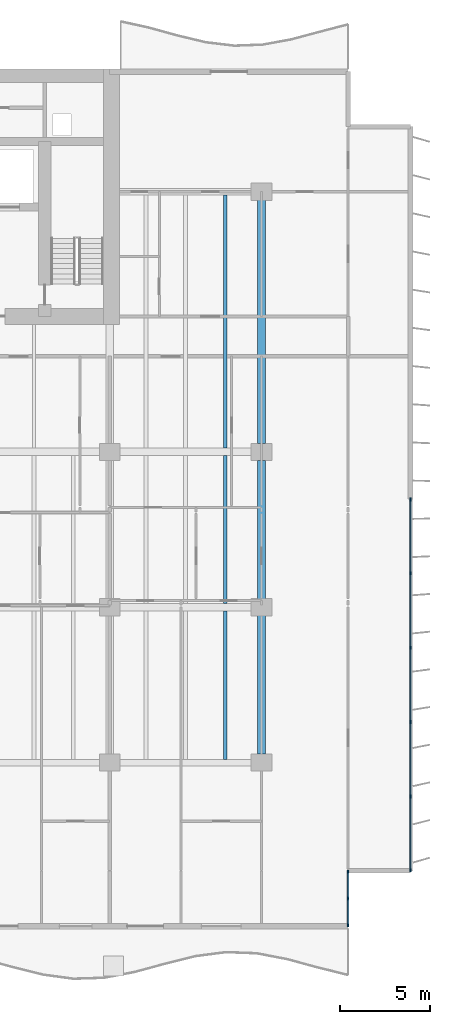
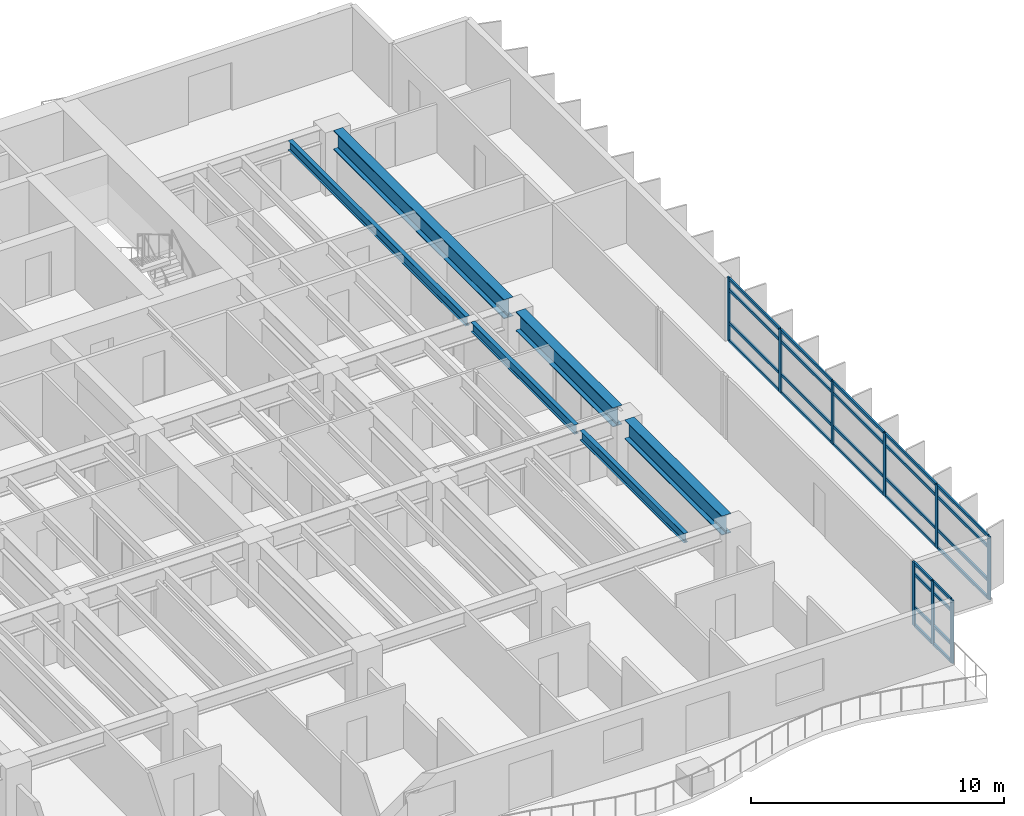
# One storey, part 4 of 19: 37 members, 6 beams, 2 elements without a shape of their own.
"""IFC4 building model written with IfcOpenShell, lengths in metres."""

from ifc_helpers import new_model, si_unit, direction, frame, origin, origin_2d, place, context, subcontext, project, spatial, rectangle, i_section, extrude, material, layer, layer_set, material_profile, profile_set, type_object, element, aggregate, save


model = new_model("IFC4")

# Units and contexts
model_context = context("Model", 3, precision=1e-05, world=origin(), true_north=direction((0.0, 1.0)))
body_context = subcontext(model_context, "Body", "Model", "MODEL_VIEW")
ifc_project = project(units=[si_unit("LENGTHUNIT", "METRE"), si_unit("AREAUNIT", "SQUARE_METRE"), si_unit("VOLUMEUNIT", "CUBIC_METRE"), si_unit("PLANEANGLEUNIT", "RADIAN"), si_unit("MASSUNIT", "GRAM", prefix="KILO")], contexts=[model_context])

# Site, building, storey
site_placement = place(None, origin())
site = spatial("IfcSite", under=ifc_project, at=site_placement, CompositionType="ELEMENT")
building_placement = place(site_placement, origin())
building = spatial("IfcBuilding", under=site, at=building_placement, Name="Caelmar Bay Residences", CompositionType="ELEMENT")
storey_placement = place(building_placement, frame((0.0, 0.0, 66.300048828125)))
storey = spatial("IfcBuildingStorey", under=building, at=storey_placement, Name="L17", CompositionType="ELEMENT", Elevation=66.300048828125)

# Beams
ifc_material_1 = material(Name="Steel ASTM A992 Grade 50", Category="steel")
ifc_material_profile_1 = material_profile(ifc_material_1, i_section(OverallWidth=0.422119140625, OverallDepth=0.925048828125, WebThickness=0.021240234375, FlangeThickness=0.03662109375, FilletRadius=0.020263671875, at=origin_2d()), Name="W36X262")
ifc_profile_set_1 = profile_set([ifc_material_profile_1], Name="Steel ASTM A992 Grade 50")
beam_type_1 = type_object("IfcBeamType", Name="BM-GRD-W36X262", PredefinedType="BEAM", material=ifc_profile_set_1)
beam_1_placement = place(storey_placement, frame((67.89990234375, 12.6650390625, 2.58740234375), z_axis=(0.0, 1.0, 0.0), x_axis=(-1.0, 0.0, 0.0)))
element("IfcBeam", 1, at=beam_1_placement, inside=storey, type_object=beam_type_1, Name="L17 North-South Girder X=67.90 (12.2-20.8)", PredefinedType="BEAM", context=body_context, shape_type="SweptSolid", body=[
    extrude(i_section(OverallWidth=0.422119140625, OverallDepth=0.925048828125, WebThickness=0.021240234375, FlangeThickness=0.03662109375, FilletRadius=0.020263671875, at=origin_2d()), origin(), (0.0, 0.0, 1.0), 7.669921875),
])
beam_2_placement = place(storey_placement, frame((67.89990234375, 21.264892578125, 2.58740234375), z_axis=(0.0, 1.0, 0.0), x_axis=(-1.0, 0.0, 0.0)))
element("IfcBeam", 2, at=beam_2_placement, inside=storey, type_object=beam_type_1, Name="L17 North-South Girder X=67.90 (20.8-29.4)", PredefinedType="BEAM", context=body_context, shape_type="SweptSolid", body=[
    extrude(i_section(OverallWidth=0.422119140625, OverallDepth=0.925048828125, WebThickness=0.021240234375, FlangeThickness=0.03662109375, FilletRadius=0.020263671875, at=origin_2d()), origin(), (0.0, 0.0, 1.0), 7.670166015625),
])
beam_3_placement = place(storey_placement, frame((67.89990234375, 29.864990234375, 2.58740234375), z_axis=(0.0, 1.0, 0.0), x_axis=(-1.0, 0.0, 0.0)))
element("IfcBeam", 3, at=beam_3_placement, inside=storey, type_object=beam_type_1, Name="L17 North-South Girder X=67.90 (29.4-43.8)", PredefinedType="BEAM", context=body_context, shape_type="SweptSolid", body=[
    extrude(i_section(OverallWidth=0.422119140625, OverallDepth=0.925048828125, WebThickness=0.021240234375, FlangeThickness=0.03662109375, FilletRadius=0.020263671875, at=origin_2d()), origin(), (0.0, 0.0, 1.0), 13.469970703125),
])
ifc_material_profile_2 = material_profile(ifc_material_1, i_section(OverallWidth=0.19091796875, OverallDepth=0.45703125, WebThickness=0.009033203125, FlangeThickness=0.014404296875, FilletRadius=0.01025390625, at=origin_2d()), Name="W18X50")
ifc_profile_set_2 = profile_set([ifc_material_profile_2], Name="Steel ASTM A992 Grade 50")
beam_type_2 = type_object("IfcBeamType", Name="BM-JST-W18X50", PredefinedType="JOIST", material=ifc_profile_set_2)
beam_4_placement = place(storey_placement, frame((65.884033203125, 12.3779296875, 2.821533203125), z_axis=(0.0, 1.0, 0.0), x_axis=(-1.0, 0.0, 0.0)))
element("IfcBeam", 4, at=beam_4_placement, inside=storey, type_object=beam_type_2, Name="L17 Composite Floor Joist 21", PredefinedType="JOIST", context=body_context, shape_type="SweptSolid", body=[
    extrude(i_section(OverallWidth=0.19091796875, OverallDepth=0.45703125, WebThickness=0.009033203125, FlangeThickness=0.014404296875, FilletRadius=0.01025390625, at=origin_2d()), origin(), (0.0, 0.0, 1.0), 8.211181640625),
])
beam_5_placement = place(storey_placement, frame((65.884033203125, 21.010986328125, 2.821533203125), z_axis=(0.0, 1.0, 0.0), x_axis=(-1.0, 0.0, 0.0)))
element("IfcBeam", 5, at=beam_5_placement, inside=storey, type_object=beam_type_2, Name="L17 Composite Floor Joist 42", PredefinedType="JOIST", context=body_context, shape_type="SweptSolid", body=[
    extrude(i_section(OverallWidth=0.19091796875, OverallDepth=0.45703125, WebThickness=0.009033203125, FlangeThickness=0.014404296875, FilletRadius=0.01025390625, at=origin_2d()), origin(), (0.0, 0.0, 1.0), 8.177978515625),
])
beam_6_placement = place(storey_placement, frame((65.884033203125, 29.611083984375, 2.821533203125), z_axis=(0.0, 1.0, 0.0), x_axis=(-1.0, 0.0, 0.0)))
element("IfcBeam", 6, at=beam_6_placement, inside=storey, type_object=beam_type_2, Name="L17 Composite Floor Joist 53", PredefinedType="JOIST", context=body_context, shape_type="SweptSolid", body=[
    extrude(i_section(OverallWidth=0.19091796875, OverallDepth=0.45703125, WebThickness=0.009033203125, FlangeThickness=0.014404296875, FilletRadius=0.01025390625, at=origin_2d()), origin(), (0.0, 0.0, 1.0), 14.010986328125),
])

# Curtain wall, members
ifc_material_2 = material(Name="Anodised bronze aluminium 6063-T6 and laminated glass", Category="aluminium")
ifc_layer_1 = layer(ifc_material_2, 0.179931640625)
ifc_layer_set_1 = layer_set([ifc_layer_1], Name="Anodised bronze aluminium 6063-T6 and laminated glass")
curtain_wall_type_1 = type_object("IfcCurtainWallType", Name="CW6-NTC", PredefinedType="NOTDEFINED", material=ifc_layer_set_1)
curtain_wall_1_placement = place(storey_placement, origin())
curtain_wall_1 = element("IfcCurtainWall", 7, at=curtain_wall_1_placement, inside=storey, type_object=curtain_wall_type_1, Name="CW6 curtain wall L17", PredefinedType="NOTDEFINED")
ifc_material_3 = material(Name="Anodised bronze aluminium 6063-T6", Category="aluminium")
ifc_material_profile_3 = material_profile(ifc_material_3, rectangle(XDim=0.080078125, YDim=0.179931640625, at=origin_2d()), Name="CWM-80X180")
ifc_profile_set_3 = profile_set([ifc_material_profile_3], Name="Anodised bronze aluminium 6063-T6")
member_type_1 = type_object("IfcMemberType", Name="CWM-180", PredefinedType="MULLION", material=ifc_profile_set_3)
member_1_placement = place(storey_placement, frame((72.699951171875, 3.18994140625, 0.0), z_axis=(0.0, 0.0, 1.0), x_axis=(-1.0, 0.0, 0.0)))
member_1 = element("IfcMember", 8, at=member_1_placement, type_object=member_type_1, Name="CW6 mullion 1", PredefinedType="MULLION", context=body_context, shape_type="SweptSolid", body=[
    extrude(rectangle(XDim=0.080078125, YDim=0.179931640625, at=origin_2d()), origin(), (0.0, 0.0, 1.0), 3.050048828125),
])
member_2_placement = place(storey_placement, frame((72.699951171875, 4.675048828125, 0.0), z_axis=(0.0, 0.0, 1.0), x_axis=(-1.0, 0.0, 0.0)))
member_2 = element("IfcMember", 9, at=member_2_placement, type_object=member_type_1, Name="CW6 mullion 2", PredefinedType="MULLION", context=body_context, shape_type="SweptSolid", body=[
    extrude(rectangle(XDim=0.080078125, YDim=0.179931640625, at=origin_2d()), origin(), (0.0, 0.0, 1.0), 3.050048828125),
])
member_3_placement = place(storey_placement, frame((72.699951171875, 6.159912109375, 0.0), z_axis=(0.0, 0.0, 1.0), x_axis=(-1.0, 0.0, 0.0)))
member_3 = element("IfcMember", 10, at=member_3_placement, type_object=member_type_1, Name="CW6 mullion 3", PredefinedType="MULLION", context=body_context, shape_type="SweptSolid", body=[
    extrude(rectangle(XDim=0.080078125, YDim=0.179931640625, at=origin_2d()), origin(), (0.0, 0.0, 1.0), 3.050048828125),
])

ifc_layer_2 = layer(ifc_material_2, 0.179931640625)
ifc_layer_set_2 = layer_set([ifc_layer_2], Name="Anodised bronze aluminium 6063-T6 and laminated glass")
curtain_wall_type_2 = type_object("IfcCurtainWallType", Name="CW2-Z1", PredefinedType="NOTDEFINED", material=ifc_layer_set_2)
curtain_wall_2_placement = place(storey_placement, origin())
curtain_wall_2 = element("IfcCurtainWall", 11, at=curtain_wall_2_placement, inside=storey, type_object=curtain_wall_type_2, Name="CW2 curtain wall L17", PredefinedType="NOTDEFINED")
member_4_placement = place(storey_placement, frame((76.14990234375, 26.760009765625, 0.0), z_axis=(0.0, 0.0, 1.0), x_axis=(1.0, 0.0, 0.0)))
member_4 = element("IfcMember", 12, at=member_4_placement, type_object=member_type_1, Name="CW2 mullion 1", PredefinedType="MULLION", context=body_context, shape_type="SweptSolid", body=[
    extrude(rectangle(XDim=0.080078125, YDim=0.179931640625, at=origin_2d()), origin(), (0.0, 0.0, 1.0), 3.050048828125),
])
member_5_placement = place(storey_placement, frame((76.14990234375, 22.679931640625, 0.0), z_axis=(0.0, 0.0, 1.0), x_axis=(1.0, 0.0, 0.0)))
member_5 = element("IfcMember", 13, at=member_5_placement, type_object=member_type_1, Name="CW2 mullion 2", PredefinedType="MULLION", context=body_context, shape_type="SweptSolid", body=[
    extrude(rectangle(XDim=0.080078125, YDim=0.179931640625, at=origin_2d()), origin(), (0.0, 0.0, 1.0), 3.050048828125),
])
member_6_placement = place(storey_placement, frame((76.14990234375, 18.56005859375, 0.0), z_axis=(0.0, 0.0, 1.0), x_axis=(1.0, 0.0, 0.0)))
member_6 = element("IfcMember", 14, at=member_6_placement, type_object=member_type_1, Name="CW2 mullion 3", PredefinedType="MULLION", context=body_context, shape_type="SweptSolid", body=[
    extrude(rectangle(XDim=0.080078125, YDim=0.179931640625, at=origin_2d()), origin(), (0.0, 0.0, 1.0), 3.050048828125),
])
member_7_placement = place(storey_placement, frame((76.14990234375, 14.43994140625, 0.0), z_axis=(0.0, 0.0, 1.0), x_axis=(1.0, 0.0, 0.0)))
member_7 = element("IfcMember", 15, at=member_7_placement, type_object=member_type_1, Name="CW2 mullion 4", PredefinedType="MULLION", context=body_context, shape_type="SweptSolid", body=[
    extrude(rectangle(XDim=0.080078125, YDim=0.179931640625, at=origin_2d()), origin(), (0.0, 0.0, 1.0), 3.050048828125),
])
member_8_placement = place(storey_placement, frame((76.14990234375, 10.320068359375, 0.0), z_axis=(0.0, 0.0, 1.0), x_axis=(1.0, 0.0, 0.0)))
member_8 = element("IfcMember", 16, at=member_8_placement, type_object=member_type_1, Name="CW2 mullion 5", PredefinedType="MULLION", context=body_context, shape_type="SweptSolid", body=[
    extrude(rectangle(XDim=0.080078125, YDim=0.179931640625, at=origin_2d()), origin(), (0.0, 0.0, 1.0), 3.050048828125),
])
member_9_placement = place(storey_placement, frame((76.14990234375, 6.239990234375, 0.0), z_axis=(0.0, 0.0, 1.0), x_axis=(1.0, 0.0, 0.0)))
member_9 = element("IfcMember", 17, at=member_9_placement, type_object=member_type_1, Name="CW2 mullion 6", PredefinedType="MULLION", context=body_context, shape_type="SweptSolid", body=[
    extrude(rectangle(XDim=0.080078125, YDim=0.179931640625, at=origin_2d()), origin(), (0.0, 0.0, 1.0), 3.050048828125),
])

# Member
ifc_material_profile_4 = material_profile(ifc_material_3, rectangle(XDim=0.080078125, YDim=0.139892578125, at=origin_2d()), Name="CWT-80X140")
ifc_profile_set_4 = profile_set([ifc_material_profile_4], Name="Anodised bronze aluminium 6063-T6")
member_type_2 = type_object("IfcMemberType", Name="CWT-140", PredefinedType="NOTDEFINED", material=ifc_profile_set_4)
member_10_placement = place(storey_placement, frame((72.699951171875, 3.22998046875, 0.0400390625), z_axis=(0.0, 1.0, 0.0), x_axis=(-1.0, 0.0, 0.0)))
member_10 = element("IfcMember", 18, at=member_10_placement, type_object=member_type_2, Name="CW6 transom 1.1", ObjectType="TRANSOM", PredefinedType="USERDEFINED", context=body_context, shape_type="SweptSolid", body=[
    extrude(rectangle(XDim=0.080078125, YDim=0.139892578125, at=origin_2d()), origin(), (0.0, 0.0, 1.0), 1.405029296875),
])

member_11_placement = place(storey_placement, frame((72.699951171875, 3.22998046875, 0.89990234375), z_axis=(0.0, 1.0, 0.0), x_axis=(-1.0, 0.0, 0.0)))
member_11 = element("IfcMember", 19, at=member_11_placement, type_object=member_type_2, Name="CW6 transom 1.2", ObjectType="TRANSOM", PredefinedType="USERDEFINED", context=body_context, shape_type="SweptSolid", body=[
    extrude(rectangle(XDim=0.080078125, YDim=0.139892578125, at=origin_2d()), origin(), (0.0, 0.0, 1.0), 1.405029296875),
])

member_12_placement = place(storey_placement, frame((72.699951171875, 3.22998046875, 2.5), z_axis=(0.0, 1.0, 0.0), x_axis=(-1.0, 0.0, 0.0)))
member_12 = element("IfcMember", 20, at=member_12_placement, type_object=member_type_2, Name="CW6 transom 1.3", ObjectType="TRANSOM", PredefinedType="USERDEFINED", context=body_context, shape_type="SweptSolid", body=[
    extrude(rectangle(XDim=0.080078125, YDim=0.139892578125, at=origin_2d()), origin(), (0.0, 0.0, 1.0), 1.405029296875),
])

member_13_placement = place(storey_placement, frame((72.699951171875, 3.22998046875, 3.010009765625), z_axis=(0.0, 1.0, 0.0), x_axis=(-1.0, 0.0, 0.0)))
member_13 = element("IfcMember", 21, at=member_13_placement, type_object=member_type_2, Name="CW6 transom 1.4", ObjectType="TRANSOM", PredefinedType="USERDEFINED", context=body_context, shape_type="SweptSolid", body=[
    extrude(rectangle(XDim=0.080078125, YDim=0.139892578125, at=origin_2d()), origin(), (0.0, 0.0, 1.0), 1.405029296875),
])

member_14_placement = place(storey_placement, frame((72.699951171875, 4.715087890625, 0.0400390625), z_axis=(0.0, 1.0, 0.0), x_axis=(-1.0, 0.0, 0.0)))
member_14 = element("IfcMember", 22, at=member_14_placement, type_object=member_type_2, Name="CW6 transom 2.1", ObjectType="TRANSOM", PredefinedType="USERDEFINED", context=body_context, shape_type="SweptSolid", body=[
    extrude(rectangle(XDim=0.080078125, YDim=0.139892578125, at=origin_2d()), origin(), (0.0, 0.0, 1.0), 1.405029296875),
])

member_15_placement = place(storey_placement, frame((72.699951171875, 4.715087890625, 0.89990234375), z_axis=(0.0, 1.0, 0.0), x_axis=(-1.0, 0.0, 0.0)))
member_15 = element("IfcMember", 23, at=member_15_placement, type_object=member_type_2, Name="CW6 transom 2.2", ObjectType="TRANSOM", PredefinedType="USERDEFINED", context=body_context, shape_type="SweptSolid", body=[
    extrude(rectangle(XDim=0.080078125, YDim=0.139892578125, at=origin_2d()), origin(), (0.0, 0.0, 1.0), 1.405029296875),
])

member_16_placement = place(storey_placement, frame((72.699951171875, 4.715087890625, 2.5), z_axis=(0.0, 1.0, 0.0), x_axis=(-1.0, 0.0, 0.0)))
member_16 = element("IfcMember", 24, at=member_16_placement, type_object=member_type_2, Name="CW6 transom 2.3", ObjectType="TRANSOM", PredefinedType="USERDEFINED", context=body_context, shape_type="SweptSolid", body=[
    extrude(rectangle(XDim=0.080078125, YDim=0.139892578125, at=origin_2d()), origin(), (0.0, 0.0, 1.0), 1.405029296875),
])

member_17_placement = place(storey_placement, frame((72.699951171875, 4.715087890625, 3.010009765625), z_axis=(0.0, 1.0, 0.0), x_axis=(-1.0, 0.0, 0.0)))
member_17 = element("IfcMember", 25, at=member_17_placement, type_object=member_type_2, Name="CW6 transom 2.4", ObjectType="TRANSOM", PredefinedType="USERDEFINED", context=body_context, shape_type="SweptSolid", body=[
    extrude(rectangle(XDim=0.080078125, YDim=0.139892578125, at=origin_2d()), origin(), (0.0, 0.0, 1.0), 1.405029296875),
])

aggregate(curtain_wall_1, [member_1, member_2, member_3, member_10, member_11, member_12, member_13, member_14, member_15, member_16, member_17])

member_18_placement = place(storey_placement, frame((76.14990234375, 26.719970703125, 0.0400390625), z_axis=(0.0, -1.0, 0.0), x_axis=(1.0, 0.0, 0.0)))
member_18 = element("IfcMember", 26, at=member_18_placement, type_object=member_type_2, Name="CW2 transom 1.1", ObjectType="TRANSOM", PredefinedType="USERDEFINED", context=body_context, shape_type="SweptSolid", body=[
    extrude(rectangle(XDim=0.080078125, YDim=0.139892578125, at=origin_2d()), origin(), (0.0, 0.0, 1.0), 4.0),
])

member_19_placement = place(storey_placement, frame((76.14990234375, 26.719970703125, 0.89990234375), z_axis=(0.0, -1.0, 0.0), x_axis=(1.0, 0.0, 0.0)))
member_19 = element("IfcMember", 27, at=member_19_placement, type_object=member_type_2, Name="CW2 transom 1.2", ObjectType="TRANSOM", PredefinedType="USERDEFINED", context=body_context, shape_type="SweptSolid", body=[
    extrude(rectangle(XDim=0.080078125, YDim=0.139892578125, at=origin_2d()), origin(), (0.0, 0.0, 1.0), 4.0),
])

member_20_placement = place(storey_placement, frame((76.14990234375, 26.719970703125, 2.5), z_axis=(0.0, -1.0, 0.0), x_axis=(1.0, 0.0, 0.0)))
member_20 = element("IfcMember", 28, at=member_20_placement, type_object=member_type_2, Name="CW2 transom 1.3", ObjectType="TRANSOM", PredefinedType="USERDEFINED", context=body_context, shape_type="SweptSolid", body=[
    extrude(rectangle(XDim=0.080078125, YDim=0.139892578125, at=origin_2d()), origin(), (0.0, 0.0, 1.0), 4.0),
])

member_21_placement = place(storey_placement, frame((76.14990234375, 26.719970703125, 3.010009765625), z_axis=(0.0, -1.0, 0.0), x_axis=(1.0, 0.0, 0.0)))
member_21 = element("IfcMember", 29, at=member_21_placement, type_object=member_type_2, Name="CW2 transom 1.4", ObjectType="TRANSOM", PredefinedType="USERDEFINED", context=body_context, shape_type="SweptSolid", body=[
    extrude(rectangle(XDim=0.080078125, YDim=0.139892578125, at=origin_2d()), origin(), (0.0, 0.0, 1.0), 4.0),
])

member_22_placement = place(storey_placement, frame((76.14990234375, 22.639892578125, 0.0400390625), z_axis=(0.0, -1.0, 0.0), x_axis=(1.0, 0.0, 0.0)))
member_22 = element("IfcMember", 30, at=member_22_placement, type_object=member_type_2, Name="CW2 transom 2.1", ObjectType="TRANSOM", PredefinedType="USERDEFINED", context=body_context, shape_type="SweptSolid", body=[
    extrude(rectangle(XDim=0.080078125, YDim=0.139892578125, at=origin_2d()), origin(), (0.0, 0.0, 1.0), 4.039794921875),
])

member_23_placement = place(storey_placement, frame((76.14990234375, 22.639892578125, 0.89990234375), z_axis=(0.0, -1.0, 0.0), x_axis=(1.0, 0.0, 0.0)))
member_23 = element("IfcMember", 31, at=member_23_placement, type_object=member_type_2, Name="CW2 transom 2.2", ObjectType="TRANSOM", PredefinedType="USERDEFINED", context=body_context, shape_type="SweptSolid", body=[
    extrude(rectangle(XDim=0.080078125, YDim=0.139892578125, at=origin_2d()), origin(), (0.0, 0.0, 1.0), 4.039794921875),
])

member_24_placement = place(storey_placement, frame((76.14990234375, 22.639892578125, 2.5), z_axis=(0.0, -1.0, 0.0), x_axis=(1.0, 0.0, 0.0)))
member_24 = element("IfcMember", 32, at=member_24_placement, type_object=member_type_2, Name="CW2 transom 2.3", ObjectType="TRANSOM", PredefinedType="USERDEFINED", context=body_context, shape_type="SweptSolid", body=[
    extrude(rectangle(XDim=0.080078125, YDim=0.139892578125, at=origin_2d()), origin(), (0.0, 0.0, 1.0), 4.039794921875),
])

member_25_placement = place(storey_placement, frame((76.14990234375, 22.639892578125, 3.010009765625), z_axis=(0.0, -1.0, 0.0), x_axis=(1.0, 0.0, 0.0)))
member_25 = element("IfcMember", 33, at=member_25_placement, type_object=member_type_2, Name="CW2 transom 2.4", ObjectType="TRANSOM", PredefinedType="USERDEFINED", context=body_context, shape_type="SweptSolid", body=[
    extrude(rectangle(XDim=0.080078125, YDim=0.139892578125, at=origin_2d()), origin(), (0.0, 0.0, 1.0), 4.039794921875),
])

member_26_placement = place(storey_placement, frame((76.14990234375, 18.52001953125, 0.0400390625), z_axis=(0.0, -1.0, 0.0), x_axis=(1.0, 0.0, 0.0)))
member_26 = element("IfcMember", 34, at=member_26_placement, type_object=member_type_2, Name="CW2 transom 3.1", ObjectType="TRANSOM", PredefinedType="USERDEFINED", context=body_context, shape_type="SweptSolid", body=[
    extrude(rectangle(XDim=0.080078125, YDim=0.139892578125, at=origin_2d()), origin(), (0.0, 0.0, 1.0), 4.0400390625),
])

member_27_placement = place(storey_placement, frame((76.14990234375, 18.52001953125, 0.89990234375), z_axis=(0.0, -1.0, 0.0), x_axis=(1.0, 0.0, 0.0)))
member_27 = element("IfcMember", 35, at=member_27_placement, type_object=member_type_2, Name="CW2 transom 3.2", ObjectType="TRANSOM", PredefinedType="USERDEFINED", context=body_context, shape_type="SweptSolid", body=[
    extrude(rectangle(XDim=0.080078125, YDim=0.139892578125, at=origin_2d()), origin(), (0.0, 0.0, 1.0), 4.0400390625),
])

member_28_placement = place(storey_placement, frame((76.14990234375, 18.52001953125, 2.5), z_axis=(0.0, -1.0, 0.0), x_axis=(1.0, 0.0, 0.0)))
member_28 = element("IfcMember", 36, at=member_28_placement, type_object=member_type_2, Name="CW2 transom 3.3", ObjectType="TRANSOM", PredefinedType="USERDEFINED", context=body_context, shape_type="SweptSolid", body=[
    extrude(rectangle(XDim=0.080078125, YDim=0.139892578125, at=origin_2d()), origin(), (0.0, 0.0, 1.0), 4.0400390625),
])

member_29_placement = place(storey_placement, frame((76.14990234375, 18.52001953125, 3.010009765625), z_axis=(0.0, -1.0, 0.0), x_axis=(1.0, 0.0, 0.0)))
member_29 = element("IfcMember", 37, at=member_29_placement, type_object=member_type_2, Name="CW2 transom 3.4", ObjectType="TRANSOM", PredefinedType="USERDEFINED", context=body_context, shape_type="SweptSolid", body=[
    extrude(rectangle(XDim=0.080078125, YDim=0.139892578125, at=origin_2d()), origin(), (0.0, 0.0, 1.0), 4.0400390625),
])

member_30_placement = place(storey_placement, frame((76.14990234375, 14.39990234375, 0.0400390625), z_axis=(0.0, -1.0, 0.0), x_axis=(1.0, 0.0, 0.0)))
member_30 = element("IfcMember", 38, at=member_30_placement, type_object=member_type_2, Name="CW2 transom 4.1", ObjectType="TRANSOM", PredefinedType="USERDEFINED", context=body_context, shape_type="SweptSolid", body=[
    extrude(rectangle(XDim=0.080078125, YDim=0.139892578125, at=origin_2d()), origin(), (0.0, 0.0, 1.0), 4.039794921875),
])

member_31_placement = place(storey_placement, frame((76.14990234375, 14.39990234375, 0.89990234375), z_axis=(0.0, -1.0, 0.0), x_axis=(1.0, 0.0, 0.0)))
member_31 = element("IfcMember", 39, at=member_31_placement, type_object=member_type_2, Name="CW2 transom 4.2", ObjectType="TRANSOM", PredefinedType="USERDEFINED", context=body_context, shape_type="SweptSolid", body=[
    extrude(rectangle(XDim=0.080078125, YDim=0.139892578125, at=origin_2d()), origin(), (0.0, 0.0, 1.0), 4.039794921875),
])

member_32_placement = place(storey_placement, frame((76.14990234375, 14.39990234375, 2.5), z_axis=(0.0, -1.0, 0.0), x_axis=(1.0, 0.0, 0.0)))
member_32 = element("IfcMember", 40, at=member_32_placement, type_object=member_type_2, Name="CW2 transom 4.3", ObjectType="TRANSOM", PredefinedType="USERDEFINED", context=body_context, shape_type="SweptSolid", body=[
    extrude(rectangle(XDim=0.080078125, YDim=0.139892578125, at=origin_2d()), origin(), (0.0, 0.0, 1.0), 4.039794921875),
])

member_33_placement = place(storey_placement, frame((76.14990234375, 14.39990234375, 3.010009765625), z_axis=(0.0, -1.0, 0.0), x_axis=(1.0, 0.0, 0.0)))
member_33 = element("IfcMember", 41, at=member_33_placement, type_object=member_type_2, Name="CW2 transom 4.4", ObjectType="TRANSOM", PredefinedType="USERDEFINED", context=body_context, shape_type="SweptSolid", body=[
    extrude(rectangle(XDim=0.080078125, YDim=0.139892578125, at=origin_2d()), origin(), (0.0, 0.0, 1.0), 4.039794921875),
])

member_34_placement = place(storey_placement, frame((76.14990234375, 10.280029296875, 0.0400390625), z_axis=(0.0, -1.0, 0.0), x_axis=(1.0, 0.0, 0.0)))
member_34 = element("IfcMember", 42, at=member_34_placement, type_object=member_type_2, Name="CW2 transom 5.1", ObjectType="TRANSOM", PredefinedType="USERDEFINED", context=body_context, shape_type="SweptSolid", body=[
    extrude(rectangle(XDim=0.080078125, YDim=0.139892578125, at=origin_2d()), origin(), (0.0, 0.0, 1.0), 4.0),
])

member_35_placement = place(storey_placement, frame((76.14990234375, 10.280029296875, 0.89990234375), z_axis=(0.0, -1.0, 0.0), x_axis=(1.0, 0.0, 0.0)))
member_35 = element("IfcMember", 43, at=member_35_placement, type_object=member_type_2, Name="CW2 transom 5.2", ObjectType="TRANSOM", PredefinedType="USERDEFINED", context=body_context, shape_type="SweptSolid", body=[
    extrude(rectangle(XDim=0.080078125, YDim=0.139892578125, at=origin_2d()), origin(), (0.0, 0.0, 1.0), 4.0),
])

member_36_placement = place(storey_placement, frame((76.14990234375, 10.280029296875, 2.5), z_axis=(0.0, -1.0, 0.0), x_axis=(1.0, 0.0, 0.0)))
member_36 = element("IfcMember", 44, at=member_36_placement, type_object=member_type_2, Name="CW2 transom 5.3", ObjectType="TRANSOM", PredefinedType="USERDEFINED", context=body_context, shape_type="SweptSolid", body=[
    extrude(rectangle(XDim=0.080078125, YDim=0.139892578125, at=origin_2d()), origin(), (0.0, 0.0, 1.0), 4.0),
])

member_37_placement = place(storey_placement, frame((76.14990234375, 10.280029296875, 3.010009765625), z_axis=(0.0, -1.0, 0.0), x_axis=(1.0, 0.0, 0.0)))
member_37 = element("IfcMember", 45, at=member_37_placement, type_object=member_type_2, Name="CW2 transom 5.4", ObjectType="TRANSOM", PredefinedType="USERDEFINED", context=body_context, shape_type="SweptSolid", body=[
    extrude(rectangle(XDim=0.080078125, YDim=0.139892578125, at=origin_2d()), origin(), (0.0, 0.0, 1.0), 4.0),
])

aggregate(curtain_wall_2, [member_4, member_5, member_6, member_7, member_8, member_9, member_18, member_19, member_20, member_21, member_22, member_23, member_24, member_25, member_26, member_27, member_28, member_29, member_30, member_31, member_32, member_33, member_34, member_35, member_36, member_37])

save(model, "model.ifc")
